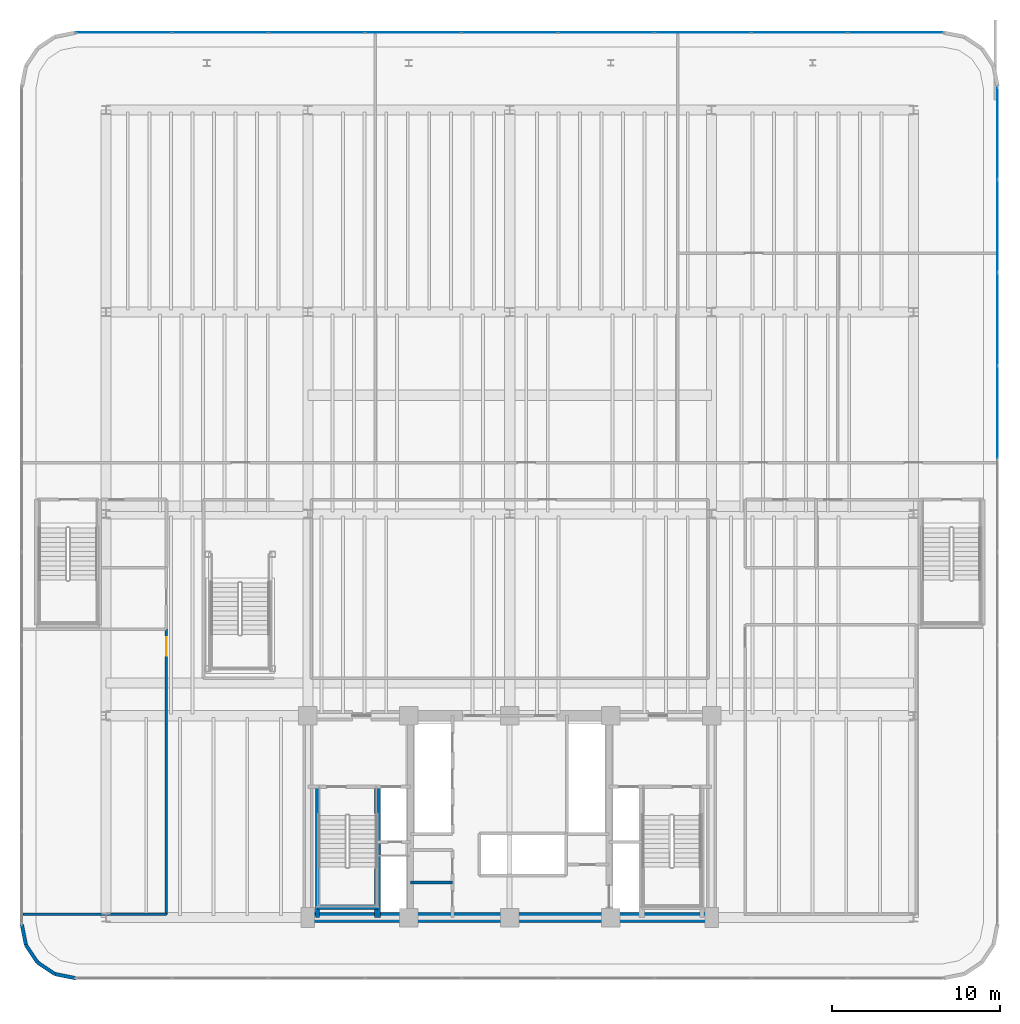
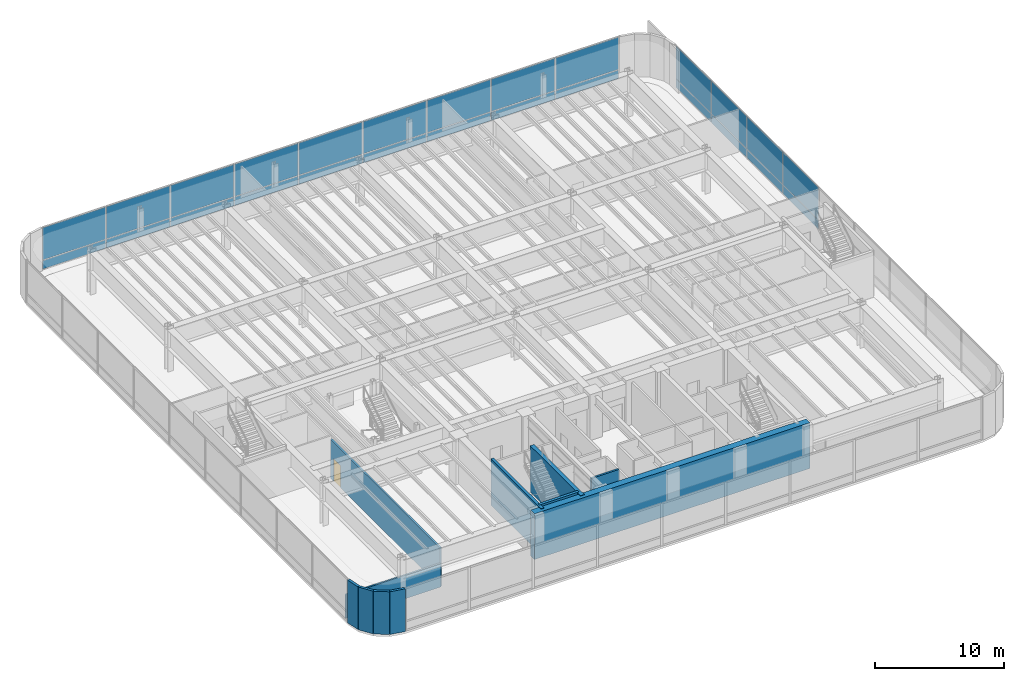
# One storey, part 12 of 19: 26 plates, 11 walls, 1 door, 1 opening, 2 elements without a shape of their own.
"""IFC4 building model written with IfcOpenShell, lengths in metres."""

from ifc_helpers import new_model, si_unit, direction, frame, frame_2d, origin, origin_2d, place, context, subcontext, project, spatial, rectangle, extrude, source, transform, mapped, material, layer, layer_set, type_object, element, fill, aggregate, save


model = new_model("IFC4")

# Units and contexts
model_context = context("Model", 3, precision=1e-05, world=origin(), true_north=direction((0.0, 1.0)))
body_context = subcontext(model_context, "Body", "Model", "MODEL_VIEW")
ifc_project = project(units=[si_unit("LENGTHUNIT", "METRE"), si_unit("AREAUNIT", "SQUARE_METRE"), si_unit("VOLUMEUNIT", "CUBIC_METRE"), si_unit("PLANEANGLEUNIT", "RADIAN"), si_unit("MASSUNIT", "GRAM", prefix="KILO")], contexts=[model_context])

# Site, building, storey
site_placement = place(None, origin())
site = spatial("IfcSite", under=ifc_project, at=site_placement, CompositionType="ELEMENT")
building_placement = place(site_placement, origin())
building = spatial("IfcBuilding", under=site, at=building_placement, Name="Brelvock Crest Care Tower", CompositionType="ELEMENT")
storey_placement = place(building_placement, frame((0.0, 0.0, 18.360107421875)))
storey = spatial("IfcBuildingStorey", under=building, at=storey_placement, Name="L04", CompositionType="ELEMENT", Elevation=18.360107421875)

# Curtain wall, plates
ifc_material_1 = material(Name="Dark Glass Double Glazed Low-E", Category="glass")
ifc_layer_1 = layer(ifc_material_1, 0.179931640625, Name="CWS-1")
ifc_layer_set_1 = layer_set([ifc_layer_1], Name="Dark Glass Double Glazed Low-E")
curtain_wall_type = type_object("IfcCurtainWallType", Name="CWS-1", PredefinedType="NOTDEFINED", material=ifc_layer_set_1)
curtain_wall_1_placement = place(storey_placement, origin())
curtain_wall_1 = element("IfcCurtainWall", 1, at=curtain_wall_1_placement, inside=storey, type_object=curtain_wall_type, Name="L04 Curtain Wall E14", PredefinedType="NOTDEFINED")
ifc_material_2 = material(Name="Dark Glass Shadow-Box Spandrel", Category="glass")
ifc_layer_2 = layer(ifc_material_2, 0.048095703125, Name="CWP-SP1")
ifc_layer_set_2 = layer_set([ifc_layer_2], Name="Dark Glass Shadow-Box Spandrel")
plate_type_1 = type_object("IfcPlateType", Name="CWP-SP1", PredefinedType="SHEET", material=ifc_layer_set_2)
shared_shape_1 = source(origin(), body_context, "Body", "SweptSolid", [
    extrude(rectangle(XDim=5.435791015625, YDim=0.035888671875, at=origin_2d()), origin(), (0.0, 0.0, 1.0), 0.802490234375),
])
plate_1_placement = place(storey_placement, frame((65.0, 52.6171875, 0.06494140625), z_axis=(0.0, 0.0, 1.0), x_axis=(0.0, -1.0, 0.0)))
plate_1 = element("IfcPlate", 2, at=plate_1_placement, type_object=plate_type_1, Name="CW-1 panel 1.1", PredefinedType="SHEET", context=body_context, shape_type="MappedRepresentation", body=[
    mapped(shared_shape_1, transform((0.0, 0.0, 0.0), x_axis=(1.0, 0.0, 0.0), y_axis=(0.0, 1.0, 0.0), z_axis=(0.0, 0.0, 1.0), scale=1.0)),
])
ifc_layer_3 = layer(ifc_material_1, 0.031982421875, Name="CWP-V1")
ifc_layer_set_3 = layer_set([ifc_layer_3], Name="Dark Glass Double Glazed Low-E")
plate_type_2 = type_object("IfcPlateType", Name="CWP-V1", PredefinedType="CURTAIN_PANEL", material=ifc_layer_set_3)
shared_shape_2 = source(origin(), body_context, "Body", "SweptSolid", [
    extrude(rectangle(XDim=5.435791015625, YDim=0.035888671875, at=origin_2d()), origin(), (0.0, 0.0, 1.0), 3.04248046875),
])
plate_2_placement = place(storey_placement, frame((65.0, 52.6171875, 0.932373046875), z_axis=(0.0, 0.0, 1.0), x_axis=(0.0, -1.0, 0.0)))
plate_2 = element("IfcPlate", 3, at=plate_2_placement, type_object=plate_type_2, Name="CW-1 panel 1.2", PredefinedType="CURTAIN_PANEL", context=body_context, shape_type="MappedRepresentation", body=[
    mapped(shared_shape_2, transform((0.0, 0.0, 0.0), x_axis=(1.0, 0.0, 0.0), y_axis=(0.0, 1.0, 0.0), z_axis=(0.0, 0.0, 1.0), scale=1.0)),
])
shared_shape_3 = source(origin(), body_context, "Body", "SweptSolid", [
    extrude(rectangle(XDim=5.46826171875, YDim=0.035888671875, at=origin_2d()), origin(), (0.0, 0.0, 1.0), 0.802490234375),
])
plate_3_placement = place(storey_placement, frame((65.0, 47.10009765625, 0.06494140625), z_axis=(0.0, 0.0, 1.0), x_axis=(0.0, -1.0, 0.0)))
plate_3 = element("IfcPlate", 4, at=plate_3_placement, type_object=plate_type_1, Name="CW-1 panel 2.1", PredefinedType="SHEET", context=body_context, shape_type="MappedRepresentation", body=[
    mapped(shared_shape_3, transform((0.0, 0.0, 0.0), x_axis=(1.0, 0.0, 0.0), y_axis=(0.0, 1.0, 0.0), z_axis=(0.0, 0.0, 1.0), scale=1.0)),
])
plate_4_placement = place(storey_placement, frame((65.0, 41.566650390625, 0.06494140625), z_axis=(0.0, 0.0, 1.0), x_axis=(0.0, -1.0, 0.0)))
plate_4 = element("IfcPlate", 5, at=plate_4_placement, type_object=plate_type_1, Name="CW-1 panel 3.1", PredefinedType="SHEET", context=body_context, shape_type="MappedRepresentation", body=[
    mapped(shared_shape_3, transform((0.0, 0.0, 0.0), x_axis=(1.0, 0.0, 0.0), y_axis=(0.0, 1.0, 0.0), z_axis=(0.0, 0.0, 1.0), scale=1.0)),
])
plate_5_placement = place(storey_placement, frame((65.0, 36.033447265625, 0.06494140625), z_axis=(0.0, 0.0, 1.0), x_axis=(0.0, -1.0, 0.0)))
plate_5 = element("IfcPlate", 6, at=plate_5_placement, type_object=plate_type_1, Name="CW-1 panel 4.1", PredefinedType="SHEET", context=body_context, shape_type="MappedRepresentation", body=[
    mapped(shared_shape_3, transform((0.0, 0.0, 0.0), x_axis=(1.0, 0.0, 0.0), y_axis=(0.0, 1.0, 0.0), z_axis=(0.0, 0.0, 1.0), scale=1.0)),
])
shared_shape_4 = source(origin(), body_context, "Body", "SweptSolid", [
    extrude(rectangle(XDim=5.46826171875, YDim=0.035888671875, at=origin_2d()), origin(), (0.0, 0.0, 1.0), 3.04248046875),
])
plate_6_placement = place(storey_placement, frame((65.0, 47.10009765625, 0.932373046875), z_axis=(0.0, 0.0, 1.0), x_axis=(0.0, -1.0, 0.0)))
plate_6 = element("IfcPlate", 7, at=plate_6_placement, type_object=plate_type_2, Name="CW-1 panel 2.2", PredefinedType="CURTAIN_PANEL", context=body_context, shape_type="MappedRepresentation", body=[
    mapped(shared_shape_4, transform((0.0, 0.0, 0.0), x_axis=(1.0, 0.0, 0.0), y_axis=(0.0, 1.0, 0.0), z_axis=(0.0, 0.0, 1.0), scale=1.0)),
])
plate_7_placement = place(storey_placement, frame((65.0, 41.566650390625, 0.932373046875), z_axis=(0.0, 0.0, 1.0), x_axis=(0.0, -1.0, 0.0)))
plate_7 = element("IfcPlate", 8, at=plate_7_placement, type_object=plate_type_2, Name="CW-1 panel 3.2", PredefinedType="CURTAIN_PANEL", context=body_context, shape_type="MappedRepresentation", body=[
    mapped(shared_shape_4, transform((0.0, 0.0, 0.0), x_axis=(1.0, 0.0, 0.0), y_axis=(0.0, 1.0, 0.0), z_axis=(0.0, 0.0, 1.0), scale=1.0)),
])
plate_8_placement = place(storey_placement, frame((65.0, 36.033447265625, 0.932373046875), z_axis=(0.0, 0.0, 1.0), x_axis=(0.0, -1.0, 0.0)))
plate_8 = element("IfcPlate", 9, at=plate_8_placement, type_object=plate_type_2, Name="CW-1 panel 4.2", PredefinedType="CURTAIN_PANEL", context=body_context, shape_type="MappedRepresentation", body=[
    mapped(shared_shape_4, transform((0.0, 0.0, 0.0), x_axis=(1.0, 0.0, 0.0), y_axis=(0.0, 1.0, 0.0), z_axis=(0.0, 0.0, 1.0), scale=1.0)),
])
aggregate(curtain_wall_1, [plate_1, plate_2, plate_3, plate_6, plate_4, plate_7, plate_5, plate_8])

curtain_wall_2_placement = place(storey_placement, origin())
curtain_wall_2 = element("IfcCurtainWall", 10, at=curtain_wall_2_placement, inside=storey, type_object=curtain_wall_type, Name="L04 Curtain Wall E09", PredefinedType="NOTDEFINED")
shared_shape_5 = source(origin(), body_context, "Body", "SweptSolid", [
    extrude(rectangle(XDim=5.6357421875, YDim=0.035888671875, at=origin_2d()), origin(), (0.0, 0.0, 1.0), 0.802490234375),
])
plate_9_placement = place(storey_placement, frame((13.0830078125, 58.60009765625, 0.06494140625), z_axis=(0.0, 0.0, 1.0), x_axis=(1.0, 0.0, 0.0)))
plate_9 = element("IfcPlate", 11, at=plate_9_placement, type_object=plate_type_1, Name="CW-1 panel 1.1", PredefinedType="SHEET", context=body_context, shape_type="MappedRepresentation", body=[
    mapped(shared_shape_5, transform((0.0, 0.0, 0.0), x_axis=(1.0, 0.0, 0.0), y_axis=(0.0, 1.0, 0.0), z_axis=(0.0, 0.0, 1.0), scale=1.0)),
])
plate_10_placement = place(storey_placement, frame((58.9169921875, 58.60009765625, 0.06494140625), z_axis=(0.0, 0.0, 1.0), x_axis=(1.0, 0.0, 0.0)))
plate_10 = element("IfcPlate", 12, at=plate_10_placement, type_object=plate_type_1, Name="CW-1 panel 9.1", PredefinedType="SHEET", context=body_context, shape_type="MappedRepresentation", body=[
    mapped(shared_shape_5, transform((0.0, 0.0, 0.0), x_axis=(1.0, 0.0, 0.0), y_axis=(0.0, 1.0, 0.0), z_axis=(0.0, 0.0, 1.0), scale=1.0)),
])
shared_shape_6 = source(origin(), body_context, "Body", "SweptSolid", [
    extrude(rectangle(XDim=5.6357421875, YDim=0.035888671875, at=origin_2d()), origin(), (0.0, 0.0, 1.0), 3.04248046875),
])
plate_11_placement = place(storey_placement, frame((13.0830078125, 58.60009765625, 0.932373046875), z_axis=(0.0, 0.0, 1.0), x_axis=(1.0, 0.0, 0.0)))
plate_11 = element("IfcPlate", 13, at=plate_11_placement, type_object=plate_type_2, Name="CW-1 panel 1.2", PredefinedType="CURTAIN_PANEL", context=body_context, shape_type="MappedRepresentation", body=[
    mapped(shared_shape_6, transform((0.0, 0.0, 0.0), x_axis=(1.0, 0.0, 0.0), y_axis=(0.0, 1.0, 0.0), z_axis=(0.0, 0.0, 1.0), scale=1.0)),
])
plate_12_placement = place(storey_placement, frame((58.9169921875, 58.60009765625, 0.932373046875), z_axis=(0.0, 0.0, 1.0), x_axis=(1.0, 0.0, 0.0)))
plate_12 = element("IfcPlate", 14, at=plate_12_placement, type_object=plate_type_2, Name="CW-1 panel 9.2", PredefinedType="CURTAIN_PANEL", context=body_context, shape_type="MappedRepresentation", body=[
    mapped(shared_shape_6, transform((0.0, 0.0, 0.0), x_axis=(1.0, 0.0, 0.0), y_axis=(0.0, 1.0, 0.0), z_axis=(0.0, 0.0, 1.0), scale=1.0)),
])
shared_shape_7 = source(origin(), body_context, "Body", "SweptSolid", [
    extrude(rectangle(XDim=5.668212890625, YDim=0.035888671875, at=origin_2d()), origin(), (0.0, 0.0, 1.0), 0.802490234375),
])
plate_13_placement = place(storey_placement, frame((18.800048828125, 58.60009765625, 0.06494140625), z_axis=(0.0, 0.0, 1.0), x_axis=(1.0, 0.0, 0.0)))
plate_13 = element("IfcPlate", 15, at=plate_13_placement, type_object=plate_type_1, Name="CW-1 panel 2.1", PredefinedType="SHEET", context=body_context, shape_type="MappedRepresentation", body=[
    mapped(shared_shape_7, transform((0.0, 0.0, 0.0), x_axis=(1.0, 0.0, 0.0), y_axis=(0.0, 1.0, 0.0), z_axis=(0.0, 0.0, 1.0), scale=1.0)),
])
plate_14_placement = place(storey_placement, frame((24.533447265625, 58.60009765625, 0.06494140625), z_axis=(0.0, 0.0, 1.0), x_axis=(1.0, 0.0, 0.0)))
plate_14 = element("IfcPlate", 16, at=plate_14_placement, type_object=plate_type_1, Name="CW-1 panel 3.1", PredefinedType="SHEET", context=body_context, shape_type="MappedRepresentation", body=[
    mapped(shared_shape_7, transform((0.0, 0.0, 0.0), x_axis=(1.0, 0.0, 0.0), y_axis=(0.0, 1.0, 0.0), z_axis=(0.0, 0.0, 1.0), scale=1.0)),
])
plate_15_placement = place(storey_placement, frame((30.2666015625, 58.60009765625, 0.06494140625), z_axis=(0.0, 0.0, 1.0), x_axis=(1.0, 0.0, 0.0)))
plate_15 = element("IfcPlate", 17, at=plate_15_placement, type_object=plate_type_1, Name="CW-1 panel 4.1", PredefinedType="SHEET", context=body_context, shape_type="MappedRepresentation", body=[
    mapped(shared_shape_7, transform((0.0, 0.0, 0.0), x_axis=(1.0, 0.0, 0.0), y_axis=(0.0, 1.0, 0.0), z_axis=(0.0, 0.0, 1.0), scale=1.0)),
])
plate_16_placement = place(storey_placement, frame((36.0, 58.60009765625, 0.06494140625), z_axis=(0.0, 0.0, 1.0), x_axis=(1.0, 0.0, 0.0)))
plate_16 = element("IfcPlate", 18, at=plate_16_placement, type_object=plate_type_1, Name="CW-1 panel 5.1", PredefinedType="SHEET", context=body_context, shape_type="MappedRepresentation", body=[
    mapped(shared_shape_7, transform((0.0, 0.0, 0.0), x_axis=(1.0, 0.0, 0.0), y_axis=(0.0, 1.0, 0.0), z_axis=(0.0, 0.0, 1.0), scale=1.0)),
])
plate_17_placement = place(storey_placement, frame((41.7333984375, 58.60009765625, 0.06494140625), z_axis=(0.0, 0.0, 1.0), x_axis=(1.0, 0.0, 0.0)))
plate_17 = element("IfcPlate", 19, at=plate_17_placement, type_object=plate_type_1, Name="CW-1 panel 6.1", PredefinedType="SHEET", context=body_context, shape_type="MappedRepresentation", body=[
    mapped(shared_shape_7, transform((0.0, 0.0, 0.0), x_axis=(1.0, 0.0, 0.0), y_axis=(0.0, 1.0, 0.0), z_axis=(0.0, 0.0, 1.0), scale=1.0)),
])
plate_18_placement = place(storey_placement, frame((47.466552734375, 58.60009765625, 0.06494140625), z_axis=(0.0, 0.0, 1.0), x_axis=(1.0, 0.0, 0.0)))
plate_18 = element("IfcPlate", 20, at=plate_18_placement, type_object=plate_type_1, Name="CW-1 panel 7.1", PredefinedType="SHEET", context=body_context, shape_type="MappedRepresentation", body=[
    mapped(shared_shape_7, transform((0.0, 0.0, 0.0), x_axis=(1.0, 0.0, 0.0), y_axis=(0.0, 1.0, 0.0), z_axis=(0.0, 0.0, 1.0), scale=1.0)),
])
plate_19_placement = place(storey_placement, frame((53.199951171875, 58.60009765625, 0.06494140625), z_axis=(0.0, 0.0, 1.0), x_axis=(1.0, 0.0, 0.0)))
plate_19 = element("IfcPlate", 21, at=plate_19_placement, type_object=plate_type_1, Name="CW-1 panel 8.1", PredefinedType="SHEET", context=body_context, shape_type="MappedRepresentation", body=[
    mapped(shared_shape_7, transform((0.0, 0.0, 0.0), x_axis=(1.0, 0.0, 0.0), y_axis=(0.0, 1.0, 0.0), z_axis=(0.0, 0.0, 1.0), scale=1.0)),
])
shared_shape_8 = source(origin(), body_context, "Body", "SweptSolid", [
    extrude(rectangle(XDim=5.668212890625, YDim=0.035888671875, at=origin_2d()), origin(), (0.0, 0.0, 1.0), 3.04248046875),
])
plate_20_placement = place(storey_placement, frame((18.800048828125, 58.60009765625, 0.932373046875), z_axis=(0.0, 0.0, 1.0), x_axis=(1.0, 0.0, 0.0)))
plate_20 = element("IfcPlate", 22, at=plate_20_placement, type_object=plate_type_2, Name="CW-1 panel 2.2", PredefinedType="CURTAIN_PANEL", context=body_context, shape_type="MappedRepresentation", body=[
    mapped(shared_shape_8, transform((0.0, 0.0, 0.0), x_axis=(1.0, 0.0, 0.0), y_axis=(0.0, 1.0, 0.0), z_axis=(0.0, 0.0, 1.0), scale=1.0)),
])
plate_21_placement = place(storey_placement, frame((24.533447265625, 58.60009765625, 0.932373046875), z_axis=(0.0, 0.0, 1.0), x_axis=(1.0, 0.0, 0.0)))
plate_21 = element("IfcPlate", 23, at=plate_21_placement, type_object=plate_type_2, Name="CW-1 panel 3.2", PredefinedType="CURTAIN_PANEL", context=body_context, shape_type="MappedRepresentation", body=[
    mapped(shared_shape_8, transform((0.0, 0.0, 0.0), x_axis=(1.0, 0.0, 0.0), y_axis=(0.0, 1.0, 0.0), z_axis=(0.0, 0.0, 1.0), scale=1.0)),
])
plate_22_placement = place(storey_placement, frame((30.2666015625, 58.60009765625, 0.932373046875), z_axis=(0.0, 0.0, 1.0), x_axis=(1.0, 0.0, 0.0)))
plate_22 = element("IfcPlate", 24, at=plate_22_placement, type_object=plate_type_2, Name="CW-1 panel 4.2", PredefinedType="CURTAIN_PANEL", context=body_context, shape_type="MappedRepresentation", body=[
    mapped(shared_shape_8, transform((0.0, 0.0, 0.0), x_axis=(1.0, 0.0, 0.0), y_axis=(0.0, 1.0, 0.0), z_axis=(0.0, 0.0, 1.0), scale=1.0)),
])
plate_23_placement = place(storey_placement, frame((36.0, 58.60009765625, 0.932373046875), z_axis=(0.0, 0.0, 1.0), x_axis=(1.0, 0.0, 0.0)))
plate_23 = element("IfcPlate", 25, at=plate_23_placement, type_object=plate_type_2, Name="CW-1 panel 5.2", PredefinedType="CURTAIN_PANEL", context=body_context, shape_type="MappedRepresentation", body=[
    mapped(shared_shape_8, transform((0.0, 0.0, 0.0), x_axis=(1.0, 0.0, 0.0), y_axis=(0.0, 1.0, 0.0), z_axis=(0.0, 0.0, 1.0), scale=1.0)),
])
plate_24_placement = place(storey_placement, frame((41.7333984375, 58.60009765625, 0.932373046875), z_axis=(0.0, 0.0, 1.0), x_axis=(1.0, 0.0, 0.0)))
plate_24 = element("IfcPlate", 26, at=plate_24_placement, type_object=plate_type_2, Name="CW-1 panel 6.2", PredefinedType="CURTAIN_PANEL", context=body_context, shape_type="MappedRepresentation", body=[
    mapped(shared_shape_8, transform((0.0, 0.0, 0.0), x_axis=(1.0, 0.0, 0.0), y_axis=(0.0, 1.0, 0.0), z_axis=(0.0, 0.0, 1.0), scale=1.0)),
])
plate_25_placement = place(storey_placement, frame((47.466552734375, 58.60009765625, 0.932373046875), z_axis=(0.0, 0.0, 1.0), x_axis=(1.0, 0.0, 0.0)))
plate_25 = element("IfcPlate", 27, at=plate_25_placement, type_object=plate_type_2, Name="CW-1 panel 7.2", PredefinedType="CURTAIN_PANEL", context=body_context, shape_type="MappedRepresentation", body=[
    mapped(shared_shape_8, transform((0.0, 0.0, 0.0), x_axis=(1.0, 0.0, 0.0), y_axis=(0.0, 1.0, 0.0), z_axis=(0.0, 0.0, 1.0), scale=1.0)),
])
plate_26_placement = place(storey_placement, frame((53.199951171875, 58.60009765625, 0.932373046875), z_axis=(0.0, 0.0, 1.0), x_axis=(1.0, 0.0, 0.0)))
plate_26 = element("IfcPlate", 28, at=plate_26_placement, type_object=plate_type_2, Name="CW-1 panel 8.2", PredefinedType="CURTAIN_PANEL", context=body_context, shape_type="MappedRepresentation", body=[
    mapped(shared_shape_8, transform((0.0, 0.0, 0.0), x_axis=(1.0, 0.0, 0.0), y_axis=(0.0, 1.0, 0.0), z_axis=(0.0, 0.0, 1.0), scale=1.0)),
])
aggregate(curtain_wall_2, [plate_9, plate_11, plate_13, plate_20, plate_14, plate_21, plate_15, plate_22, plate_16, plate_23, plate_17, plate_24, plate_18, plate_25, plate_19, plate_26, plate_10, plate_12])

# Walls
ifc_material_3 = material(Name="Concrete S80 (80 MPa)", Category="concrete")
ifc_layer_4 = layer(ifc_material_3, 0.60009765625, Name="WL-CS1")
ifc_layer_set_4 = layer_set([ifc_layer_4], Name="Concrete S80 (80 MPa)")
wall_type_1 = type_object("IfcWallType", Name="WL-CS1", PredefinedType="SHEAR", material=ifc_layer_set_4)
wall_1_placement = place(storey_placement, frame((48.300048828125, 6.0, 0.0), z_axis=(0.0, 0.0, 1.0), x_axis=(-1.0, 0.0, 0.0)))
element("IfcWall", 29, at=wall_1_placement, inside=storey, type_object=wall_type_1, Name="L04 Core South Shear Wall", PredefinedType="SHEAR", context=body_context, shape_type="SweptSolid", body=[
    extrude(rectangle(XDim=24.60009765625, YDim=0.60009765625, at=frame_2d((12.300048828125, 0.0))), origin(), (0.0, 0.0, 1.0), 4.31982421875),
])
ifc_layer_5 = layer(ifc_material_3, 0.35009765625, Name="WL-CS5")
ifc_layer_set_5 = layer_set([ifc_layer_5], Name="Concrete S80 (80 MPa)")
wall_type_2 = type_object("IfcWallType", Name="WL-CS5", PredefinedType="SHEAR", material=ifc_layer_set_5)
wall_2_placement = place(storey_placement, frame((28.14990234375, 6.0, 0.0), z_axis=(0.0, 0.0, 1.0), x_axis=(0.0, 1.0, 0.0)))
element("IfcWall", 30, at=wall_2_placement, inside=storey, type_object=wall_type_2, Name="L04 Core Stair ST-1 East Shear Wall", PredefinedType="SHEAR", context=body_context, shape_type="SweptSolid", body=[
    extrude(rectangle(XDim=7.780029296875, YDim=0.35009765625, at=frame_2d((3.89013671875, 0.0))), origin(), (0.0, 0.0, 1.0), 4.35986328125),
])
ifc_layer_6 = layer(ifc_material_3, 0.25, Name="WL-CS6")
ifc_layer_set_6 = layer_set([ifc_layer_6], Name="Concrete S80 (80 MPa)")
wall_type_3 = type_object("IfcWallType", Name="WL-CS6", PredefinedType="SHEAR", material=ifc_layer_set_6)
wall_3_placement = place(storey_placement, frame((24.580078125, 6.0, 0.0), z_axis=(0.0, 0.0, 1.0), x_axis=(0.0, 1.0, 0.0)))
element("IfcWall", 31, at=wall_3_placement, inside=storey, type_object=wall_type_3, Name="L04 Core Stair ST-1 West Shear Wall", PredefinedType="SHEAR", context=body_context, shape_type="SweptSolid", body=[
    extrude(rectangle(XDim=7.780029296875, YDim=0.25, at=frame_2d((3.89013671875, 0.0))), origin(), (0.0, 0.0, 1.0), 4.35986328125),
])
wall_4_placement = place(storey_placement, frame((24.580078125, 6.6201171875, 0.0), z_axis=(0.0, 0.0, 1.0), x_axis=(1.0, 0.0, 0.0)))
element("IfcWall", 32, at=wall_4_placement, inside=storey, type_object=wall_type_3, Name="L04 Core Stair ST-1 South Shear Wall", PredefinedType="SHEAR", context=body_context, shape_type="SweptSolid", body=[
    extrude(rectangle(XDim=3.56982421875, YDim=0.25, at=frame_2d((1.784912109375, 0.0))), origin(), (0.0, 0.0, 1.0), 4.35986328125),
])
ifc_material_4 = material(Name="Precast concrete N40 (40 MPa)", Category="concrete")
ifc_layer_7 = layer(ifc_material_4, 0.215087890625, Name="WL-EX2")
ifc_layer_set_7 = layer_set([ifc_layer_7], Name="Precast concrete N40 (40 MPa)")
wall_type_4 = type_object("IfcWallType", Name="WL-EX2", PredefinedType="SOLIDWALL", material=ifc_layer_set_7)
for number, where, z_axis, x_axis, name in (
    (33, (10.199951171875, 2.39990234375, 0.0), (0.0, 0.0, 1.0), (-0.980775717779, 0.195138390419, 0.0), "L04 Rounded Corner Wall 00"),
    (34, (8.975341796875, 2.6435546875, 0.0), (0.0, 0.0, 1.0), (-0.831387912822, 0.555692485475, 0.0), "L04 Rounded Corner Wall 01"),
    (35, (7.937255859375, 3.33740234375, 0.0), (0.0, 0.0, 1.0), (-0.555557312883, 0.831478245117, 0.0), "L04 Rounded Corner Wall 02"),
    (36, (7.24365234375, 4.37548828125, 0.0), (0.0, 0.0, 1.0), (-0.195138390419, 0.980775717779, 0.0), "L04 Rounded Corner Wall 03"),
):
    element("IfcWall", number, at=place(storey_placement, frame(where, z_axis=z_axis, x_axis=x_axis)), inside=storey, type_object=wall_type_4, Name=name, PredefinedType="SOLIDWALL", context=body_context, shape_type="SweptSolid", body=[
        extrude(rectangle(XDim=1.24853515625, YDim=0.215087890625, at=frame_2d((0.624267578125, 0.0))), origin(), (0.0, 0.0, 1.0), 4.039794921875),
    ])
ifc_material_5 = material(Name="Masonry Blockwork Acoustic Partition", Category="masonry")
ifc_layer_8 = layer(ifc_material_5, 0.14990234375, Name="WL-INT1")
ifc_layer_set_8 = layer_set([ifc_layer_8], Name="Masonry Blockwork Acoustic Partition")
wall_type_5 = type_object("IfcWallType", Name="WL-INT1", PredefinedType="PARTITIONING", material=ifc_layer_set_8)
wall_5_placement = place(storey_placement, frame((7.080078125, 6.199951171875, 0.0), z_axis=(0.0, 0.0, 1.0), x_axis=(1.0, 0.0, 0.0)))
element("IfcWall", 37, at=wall_5_placement, inside=storey, type_object=wall_type_5, Name="L04 Interior Wall WL-BX-L04-PLTW-S", PredefinedType="PARTITIONING", context=body_context, shape_type="SweptSolid", body=[
    extrude(rectangle(XDim=8.52001953125, YDim=0.14990234375, at=frame_2d((4.260009765625, 0.0))), origin(), (0.0, 0.0, 1.0), 2.224853515625),
])

# Wall, opening, door
wall_6_placement = place(storey_placement, frame((15.60009765625, 6.199951171875, 0.0), z_axis=(0.0, 0.0, 1.0), x_axis=(0.0, 1.0, 0.0)))
wall_6 = element("IfcWall", 38, at=wall_6_placement, inside=storey, type_object=wall_type_5, Name="L04 Interior Wall WL-RM-L04-PLTW", PredefinedType="PARTITIONING", context=body_context, shape_type="SweptSolid", body=[
    extrude(rectangle(XDim=16.949951171875, YDim=0.14990234375, at=frame_2d((8.47509765625, 0.0))), origin(), (0.0, 0.0, 1.0), 3.665771484375),
])
opening_placement = place(wall_6_placement, frame((15.3701171875, 0.0, 0.0)))
opening = element("IfcOpeningElement", 39, at=opening_placement, cuts=wall_6, Name="Opening PD-1", PredefinedType="OPENING", context=body_context, shape_type="SweptSolid", body=[
    extrude(rectangle(XDim=1.10009765625, YDim=2.10009765625, at=origin_2d()), frame((0.550048828125, 0.0849609375, 1.050048828125), z_axis=(0.0, -1.0, 0.0), x_axis=(1.0, 0.0, 0.0)), (0.0, 0.0, 1.0), 0.169921875),
])
ifc_material_6 = material(Name="Steel Grade 350", Category="steel")
door_type = type_object("IfcDoorType", Name="DR-PLT1", OperationType="NOTDEFINED", PredefinedType="DOOR", material=ifc_material_6)
shared_shape_9 = source(origin(), body_context, "Body", "SweptSolid", [
    extrude(rectangle(XDim=1.10009765625, YDim=2.10009765625, at=origin_2d()), frame((0.550048828125, 0.02490234375, 1.050048828125), z_axis=(0.0, -1.0, 0.0), x_axis=(1.0, 0.0, 0.0)), (0.0, 0.0, 1.0), 0.050048828125),
])
door_placement = place(opening_placement, origin())
door = element("IfcDoor", 40, at=door_placement, inside=storey, type_object=door_type, Name="L04 Hydro Filtration Plant Room Door PLTW", OperationType="SINGLE_SWING_LEFT", OverallHeight=2.10009765625, OverallWidth=1.10009765625, PredefinedType="DOOR", context=body_context, shape_type="MappedRepresentation", body=[
    mapped(shared_shape_9, transform((0.0, 0.0, 0.0), x_axis=(1.0, 0.0, 0.0), y_axis=(0.0, 1.0, 0.0), z_axis=(0.0, 0.0, 1.0), scale=1.0)),
])
fill(opening, door)

# Wall
ifc_layer_9 = layer(ifc_material_5, 0.179931640625, Name="WL-SHF1")
ifc_layer_set_9 = layer_set([ifc_layer_9], Name="Masonry Blockwork Acoustic Partition")
wall_type_6 = type_object("IfcWallType", Name="WL-SHF1", PredefinedType="PARTITIONING", material=ifc_layer_set_9)
wall_7_placement = place(storey_placement, frame((30.10009765625, 8.10009765625, 0.0), z_axis=(0.0, 0.0, 1.0), x_axis=(1.0, 0.0, 0.0)))
element("IfcWall", 41, at=wall_7_placement, inside=storey, type_object=wall_type_6, Name="L04 Interior Wall WL-CSBW-SP-L04", PredefinedType="PARTITIONING", context=body_context, shape_type="SweptSolid", body=[
    extrude(rectangle(XDim=2.5, YDim=0.179931640625, at=frame_2d((1.25, 0.0))), origin(), (0.0, 0.0, 1.0), 4.010009765625),
])

save(model, "model.ifc")
